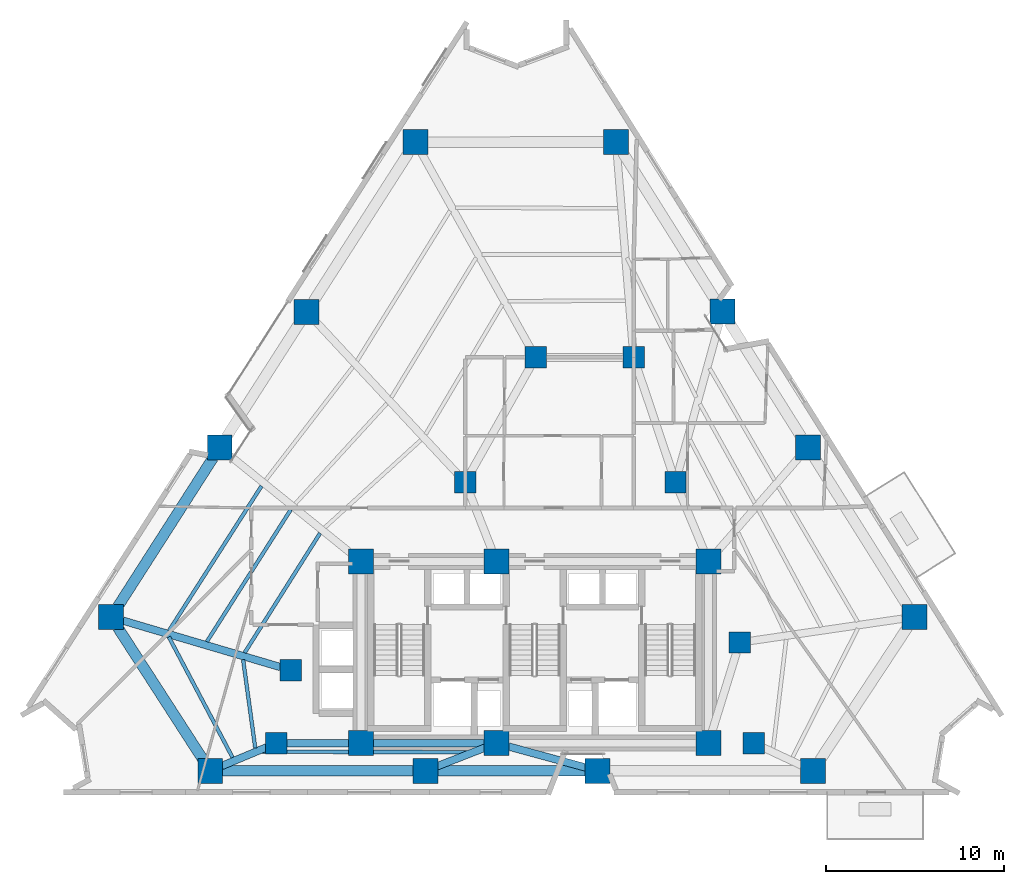
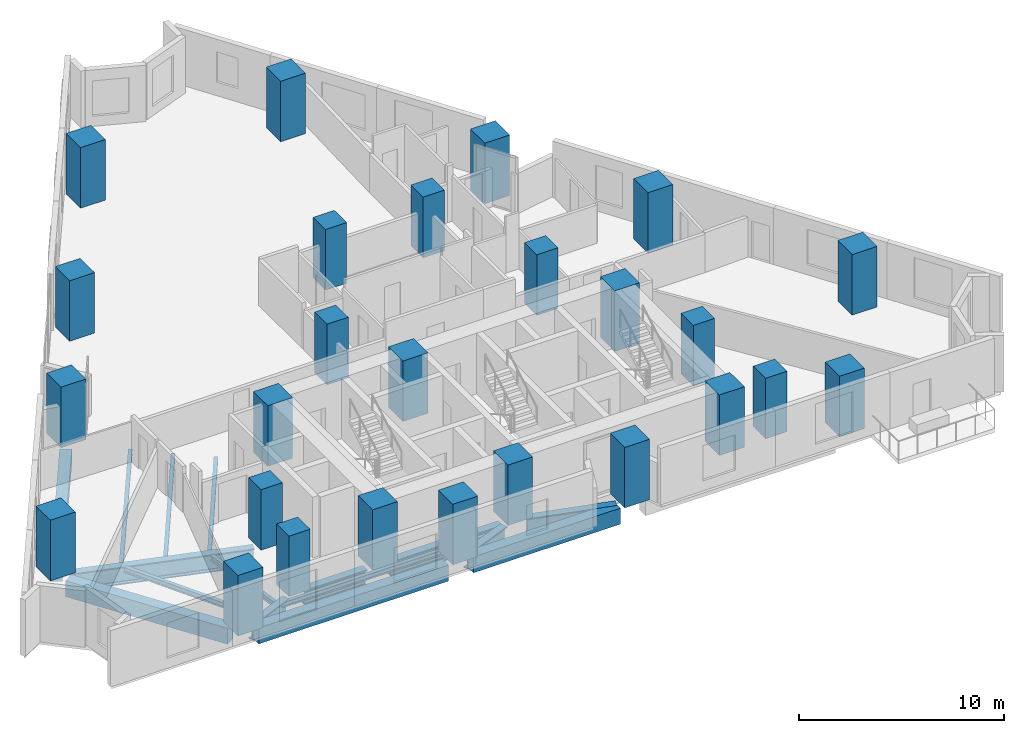
# One storey, part 1 of 13: 26 columns, 16 beams.
"""IFC4 building model written with IfcOpenShell, lengths in metres."""

from ifc_helpers import new_model, si_unit, direction, frame, origin, origin_2d, place, context, subcontext, project, spatial, rectangle, i_section, extrude, material, material_profile, profile_set, type_object, element, save


model = new_model("IFC4")

# Units and contexts
model_context = context("Model", 3, precision=1e-05, world=origin(), true_north=direction((0.0, 1.0)))
body_context = subcontext(model_context, "Body", "Model", "MODEL_VIEW")
ifc_project = project(units=[si_unit("LENGTHUNIT", "METRE"), si_unit("AREAUNIT", "SQUARE_METRE"), si_unit("VOLUMEUNIT", "CUBIC_METRE"), si_unit("PLANEANGLEUNIT", "RADIAN"), si_unit("MASSUNIT", "GRAM", prefix="KILO")], contexts=[model_context])

# Site, building, storey
site_placement = place(None, origin())
site = spatial("IfcSite", under=ifc_project, at=site_placement, CompositionType="ELEMENT")
building_placement = place(site_placement, origin())
building = spatial("IfcBuilding", under=site, at=building_placement, Name="Almagre Mirador Tower", CompositionType="ELEMENT")
storey_placement = place(building_placement, frame((0.0, 0.0, 57.0)))
storey = spatial("IfcBuildingStorey", under=building, at=storey_placement, Name="L13", CompositionType="ELEMENT", Elevation=57.0)

# Columns
ifc_material_1 = material(Name="Concrete C60/75", Category="concrete")
ifc_material_profile_1 = material_profile(ifc_material_1, rectangle(XDim=1.199951171875, YDim=1.199951171875, at=origin_2d()), Name="RC1200X1200")
ifc_profile_set_1 = profile_set([ifc_material_profile_1], Name="Concrete C60/75")
column_type_1 = type_object("IfcColumnType", Name="COL-RC1200", PredefinedType="COLUMN", material=ifc_profile_set_1)
for number, where, z_axis, x_axis, name in (
    (1, (22.800048828125, 4.550048828125, 0.0), (0.0, 0.0, 1.0), (1.0, 0.0, 0.0), "L13 interior transfer column MC1"),
    (2, (49.60009765625, 4.550048828125, 0.0), (0.0, 0.0, 1.0), (1.0, 0.0, 0.0), "L13 interior transfer column MC2"),
    (3, (48.800048828125, 10.199951171875, 0.0), (0.0, 0.0, 1.0), (1.0, 0.0, 0.0), "L13 interior transfer column MC3"),
    (4, (45.199951171875, 19.199951171875, 0.0), (0.0, 0.0, 1.0), (1.0, 0.0, 0.0), "L13 interior transfer column MC5"),
    (5, (42.85009765625, 26.199951171875, 0.0), (0.0, 0.0, 1.0), (1.0, 0.0, 0.0), "L13 interior transfer column MC6"),
    (6, (37.35009765625, 26.199951171875, 0.0), (0.0, 0.0, 1.0), (1.0, 0.0, 0.0), "L13 interior transfer column MC7"),
    (7, (33.39990234375, 19.199951171875, 0.0), (0.0, 0.0, 1.0), (1.0, 0.0, 0.0), "L13 interior transfer column MC8"),
    (8, (23.60009765625, 8.64990234375, 0.0), (0.0, 0.0, 1.0), (1.0, 0.0, 0.0), "L13 interior transfer column MC10"),
):
    element("IfcColumn", number, at=place(storey_placement, frame(where, z_axis=z_axis, x_axis=x_axis)), inside=storey, type_object=column_type_1, Name=name, PredefinedType="COLUMN", context=body_context, shape_type="SweptSolid", body=[
        extrude(rectangle(XDim=1.199951171875, YDim=1.199951171875, at=origin_2d()), origin(), (0.0, 0.0, 1.0), 3.60009765625),
    ])
ifc_material_2 = material(Name="Concrete C60/75", Category="concrete")
ifc_material_profile_2 = material_profile(ifc_material_2, rectangle(XDim=1.39990234375, YDim=1.39990234375, at=origin_2d()), Name="RC1400X1400")
ifc_profile_set_2 = profile_set([ifc_material_profile_2], Name="Concrete C60/75")
column_type_2 = type_object("IfcColumnType", Name="COL-RC1400", PredefinedType="COLUMN", material=ifc_profile_set_2)
for number, where, z_axis, x_axis, name in (
    (9, (27.550048828125, 4.550048828125, 0.0), (0.0, 0.0, 1.0), (1.0, 0.0, 0.0), "L13 core spine column CC1"),
    (10, (35.14990234375, 4.550048828125, 0.0), (0.0, 0.0, 1.0), (1.0, 0.0, 0.0), "L13 core spine column CC2"),
    (11, (47.050048828125, 4.550048828125, 0.0), (0.0, 0.0, 1.0), (1.0, 0.0, 0.0), "L13 core spine column CC3"),
    (12, (27.550048828125, 14.75, 0.0), (0.0, 0.0, 1.0), (1.0, 0.0, 0.0), "L13 core spine column CC4"),
    (13, (35.14990234375, 14.75, 0.0), (0.0, 0.0, 1.0), (1.0, 0.0, 0.0), "L13 core spine column CC5"),
    (14, (47.050048828125, 14.75, 0.0), (0.0, 0.0, 1.0), (1.0, 0.0, 0.0), "L13 core spine column CC6"),
    (15, (19.087890625, 3.0, 0.0), (0.0, 0.0, 1.0), (1.0, 0.0, 0.0), "L13 perimeter column PC01"),
    (16, (31.16796875, 3.0, 0.0), (0.0, 0.0, 1.0), (1.0, 0.0, 0.0), "L13 perimeter column PC02"),
    (17, (40.83203125, 3.0, 0.0), (0.0, 0.0, 1.0), (1.0, 0.0, 0.0), "L13 perimeter column PC03"),
    (18, (52.912109375, 3.0, 0.0), (0.0, 0.0, 1.0), (1.0, 0.0, 0.0), "L13 perimeter column PC04"),
    (19, (58.60595703125, 11.634033203125, 0.0), (0.0, 0.0, 1.0), (1.0, 0.0, 0.0), "L13 perimeter column PC05"),
    (20, (52.6259765625, 21.154052734375, 0.0), (0.0, 0.0, 1.0), (1.0, 0.0, 0.0), "L13 perimeter column PC06"),
    (21, (47.842041015625, 28.77001953125, 0.0), (0.0, 0.0, 1.0), (1.0, 0.0, 0.0), "L13 perimeter column PC07"),
    (22, (41.862060546875, 38.2900390625, 0.0), (0.0, 0.0, 1.0), (1.0, 0.0, 0.0), "L13 perimeter column PC08"),
    (23, (30.60009765625, 38.281005859375, 0.0), (0.0, 0.0, 1.0), (1.0, 0.0, 0.0), "L13 perimeter column PC09"),
    (24, (24.5, 28.760986328125, 0.0), (0.0, 0.0, 1.0), (1.0, 0.0, 0.0), "L13 perimeter column PC10"),
    (25, (19.6201171875, 21.14501953125, 0.0), (0.0, 0.0, 1.0), (1.0, 0.0, 0.0), "L13 perimeter column PC11"),
    (26, (13.52001953125, 11.625, 0.0), (0.0, 0.0, 1.0), (1.0, 0.0, 0.0), "L13 perimeter column PC12"),
):
    element("IfcColumn", number, at=place(storey_placement, frame(where, z_axis=z_axis, x_axis=x_axis)), inside=storey, type_object=column_type_2, Name=name, PredefinedType="COLUMN", context=body_context, shape_type="SweptSolid", body=[
        extrude(rectangle(XDim=1.39990234375, YDim=1.39990234375, at=origin_2d()), origin(), (0.0, 0.0, 1.0), 3.60009765625),
    ])

# Beams
ifc_material_3 = material(Name="Steel ASTM A992 Grade 50", Category="steel")
ifc_material_profile_3 = material_profile(ifc_material_3, i_section(OverallWidth=0.205078125, OverallDepth=0.31005859375, WebThickness=0.009521484375, FlangeThickness=0.016357421875, FilletRadius=0.013916015625, at=origin_2d()), Name="W12X50")
ifc_profile_set_3 = profile_set([ifc_material_profile_3], Name="Steel ASTM A992 Grade 50")
beam_type_1 = type_object("IfcBeamType", Name="BM-JST-W12X50", PredefinedType="JOIST", material=ifc_profile_set_3)
beam_1_placement = place(storey_placement, frame((21.852783203125, 4.066650390625, -0.405029296875), z_axis=(0.999998523692, -0.001718317236, 0.0), x_axis=(0.001718317236, 0.999998523692, 0.0)))
element("IfcBeam", 27, at=beam_1_placement, inside=storey, type_object=beam_type_1, Name="L13 secondary floor joist PC01-PC02.3", PredefinedType="JOIST", context=body_context, shape_type="SweptSolid", body=[
    extrude(i_section(OverallWidth=0.205078125, OverallDepth=0.31005859375, WebThickness=0.009521484375, FlangeThickness=0.016357421875, FilletRadius=0.013916015625, at=origin_2d()), origin(), (0.0, 0.0, 1.0), 11.792724609375),
])
beam_2_placement = place(storey_placement, frame((21.96728515625, 18.984619140625, -0.405029296875), z_axis=(-0.538939298543, -0.842344604355, 0.0), x_axis=(0.842344604355, -0.538939298543, 0.0)))
element("IfcBeam", 28, at=beam_2_placement, inside=storey, type_object=beam_type_1, Name="L13 secondary floor joist PC11-PC12.1", PredefinedType="JOIST", context=body_context, shape_type="SweptSolid", body=[
    extrude(i_section(OverallWidth=0.205078125, OverallDepth=0.31005859375, WebThickness=0.009521484375, FlangeThickness=0.016357421875, FilletRadius=0.013916015625, at=origin_2d()), origin(), (0.0, 0.0, 1.0), 9.62939453125),
])
beam_3_placement = place(storey_placement, frame((23.609375, 17.660400390625, -0.405029296875), z_axis=(-0.536506743166, -0.843896033015, 0.0), x_axis=(0.843896033015, -0.536506743166, 0.0)))
element("IfcBeam", 29, at=beam_3_placement, inside=storey, type_object=beam_type_1, Name="L13 secondary floor joist PC11-PC12.2", PredefinedType="JOIST", context=body_context, shape_type="SweptSolid", body=[
    extrude(i_section(OverallWidth=0.205078125, OverallDepth=0.31005859375, WebThickness=0.009521484375, FlangeThickness=0.016357421875, FilletRadius=0.013916015625, at=origin_2d()), origin(), (0.0, 0.0, 1.0), 8.783447265625),
])
beam_4_placement = place(storey_placement, frame((25.251708984375, 16.336181640625, -0.405029296875), z_axis=(-0.533571707058, -0.845754830567, 0.0), x_axis=(0.845754830567, -0.533571707058, 0.0)))
element("IfcBeam", 30, at=beam_4_placement, inside=storey, type_object=beam_type_1, Name="L13 secondary floor joist PC11-PC12.3", PredefinedType="JOIST", context=body_context, shape_type="SweptSolid", body=[
    extrude(i_section(OverallWidth=0.205078125, OverallDepth=0.31005859375, WebThickness=0.009521484375, FlangeThickness=0.016357421875, FilletRadius=0.013916015625, at=origin_2d()), origin(), (0.0, 0.0, 1.0), 7.937744140625),
])
beam_5_placement = place(storey_placement, frame((16.7626953125, 10.51171875, -0.405029296875), z_axis=(0.467494738831, -0.88399585359, 0.0), x_axis=(0.88399585359, 0.467494738831, 0.0)))
element("IfcBeam", 31, at=beam_5_placement, inside=storey, type_object=beam_type_1, Name="L13 secondary floor joist PC12-PC01.1", PredefinedType="JOIST", context=body_context, shape_type="SweptSolid", body=[
    extrude(i_section(OverallWidth=0.205078125, OverallDepth=0.31005859375, WebThickness=0.009521484375, FlangeThickness=0.016357421875, FilletRadius=0.013916015625, at=origin_2d()), origin(), (0.0, 0.0, 1.0), 7.650634765625),
])
beam_6_placement = place(storey_placement, frame((20.93310546875, 9.238037109375, -0.405029296875), z_axis=(0.136056923339, -0.990701021303, 0.0), x_axis=(0.990701021303, 0.136056923339, 0.0)))
element("IfcBeam", 32, at=beam_6_placement, inside=storey, type_object=beam_type_1, Name="L13 secondary floor joist PC12-PC01.3", PredefinedType="JOIST", context=body_context, shape_type="SweptSolid", body=[
    extrude(i_section(OverallWidth=0.205078125, OverallDepth=0.31005859375, WebThickness=0.009521484375, FlangeThickness=0.016357421875, FilletRadius=0.013916015625, at=origin_2d()), origin(), (0.0, 0.0, 1.0), 5.010009765625),
])
ifc_material_4 = material(Name="Precast concrete C50/60", Category="concrete")
ifc_material_profile_4 = material_profile(ifc_material_4, rectangle(XDim=0.60009765625, YDim=0.949951171875, at=origin_2d()), Name="RC600X950")
ifc_profile_set_4 = profile_set([ifc_material_profile_4], Name="Precast concrete C50/60")
beam_type_2 = type_object("IfcBeamType", Name="BM-SPN-RC600X950", PredefinedType="SPANDREL", material=ifc_profile_set_4)
beam_7_placement = place(storey_placement, frame((19.7880859375, 3.0, -0.72509765625), z_axis=(1.0, 0.0, 0.0), x_axis=(0.0, 1.0, 0.0)))
element("IfcBeam", 33, at=beam_7_placement, inside=storey, type_object=beam_type_2, Name="L13 perimeter spandrel beam PC01-PC02", PredefinedType="SPANDREL", context=body_context, shape_type="SweptSolid", body=[
    extrude(rectangle(XDim=0.60009765625, YDim=0.949951171875, at=origin_2d()), origin(), (0.0, 0.0, 1.0), 10.679931640625),
])
beam_8_placement = place(storey_placement, frame((31.867919921875, 3.0, -0.72509765625), z_axis=(1.0, 0.0, 0.0), x_axis=(0.0, 1.0, 0.0)))
element("IfcBeam", 34, at=beam_8_placement, inside=storey, type_object=beam_type_2, Name="L13 perimeter spandrel beam PC02-PC03", PredefinedType="SPANDREL", context=body_context, shape_type="SweptSolid", body=[
    extrude(rectangle(XDim=0.60009765625, YDim=0.949951171875, at=origin_2d()), origin(), (0.0, 0.0, 1.0), 8.26416015625),
])
beam_9_placement = place(storey_placement, frame((19.2421875, 20.5556640625, -0.72509765625), z_axis=(-0.539486507438, -0.84199424481, 0.0), x_axis=(0.84199424481, -0.539486507438, 0.0)))
element("IfcBeam", 35, at=beam_9_placement, inside=storey, type_object=beam_type_2, Name="L13 perimeter spandrel beam PC11-PC12", PredefinedType="SPANDREL", context=body_context, shape_type="SweptSolid", body=[
    extrude(rectangle(XDim=0.60009765625, YDim=0.949951171875, at=origin_2d()), origin(), (0.0, 0.0, 1.0), 9.906494140625),
])
beam_10_placement = place(storey_placement, frame((13.899658203125, 11.036865234375, -0.72509765625), z_axis=(0.542362680712, -0.840144465298, 0.0), x_axis=(0.840144465298, 0.542362680712, 0.0)))
element("IfcBeam", 36, at=beam_10_placement, inside=storey, type_object=beam_type_2, Name="L13 perimeter spandrel beam PC12-PC01", PredefinedType="SPANDREL", context=body_context, shape_type="SweptSolid", body=[
    extrude(rectangle(XDim=0.60009765625, YDim=0.949951171875, at=origin_2d()), origin(), (0.0, 0.0, 1.0), 8.865966796875),
])
ifc_material_5 = material(Name="Steel ASTM A992 Grade 50", Category="steel")
ifc_material_profile_5 = material_profile(ifc_material_5, i_section(OverallWidth=0.43701171875, OverallDepth=1.010986328125, WebThickness=0.041015625, FlangeThickness=0.073974609375, FilletRadius=0.028076171875, at=origin_2d()), Name="W36X529")
ifc_profile_set_5 = profile_set([ifc_material_profile_5], Name="Steel ASTM A992 Grade 50")
beam_type_3 = type_object("IfcBeamType", Name="BM-STL-W36X529", PredefinedType="BEAM", material=ifc_profile_set_5)
beam_11_placement = place(storey_placement, frame((28.25, 4.550048828125, -0.755615234375), z_axis=(1.0, 0.0, 0.0), x_axis=(0.0, 1.0, 0.0)))
element("IfcBeam", 37, at=beam_11_placement, inside=storey, type_object=beam_type_3, Name="L13 core tie girder CC1-CC2", PredefinedType="BEAM", context=body_context, shape_type="SweptSolid", body=[
    extrude(i_section(OverallWidth=0.43701171875, OverallDepth=1.010986328125, WebThickness=0.041015625, FlangeThickness=0.073974609375, FilletRadius=0.028076171875, at=origin_2d()), origin(), (0.0, 0.0, 1.0), 6.199951171875),
])
beam_12_placement = place(storey_placement, frame((23.39990234375, 4.550048828125, -0.755615234375), z_axis=(1.0, 0.0, 0.0), x_axis=(0.0, 1.0, 0.0)))
element("IfcBeam", 38, at=beam_12_placement, inside=storey, type_object=beam_type_3, Name="L13 core tie girder MC1-CC1", PredefinedType="BEAM", context=body_context, shape_type="SweptSolid", body=[
    extrude(i_section(OverallWidth=0.43701171875, OverallDepth=1.010986328125, WebThickness=0.041015625, FlangeThickness=0.073974609375, FilletRadius=0.028076171875, at=origin_2d()), origin(), (0.0, 0.0, 1.0), 3.4501953125),
])
ifc_material_6 = material(Name="Steel ASTM A913 Grade 65", Category="steel")
ifc_material_profile_6 = material_profile(ifc_material_6, i_section(OverallWidth=0.4189453125, OverallDepth=1.041015625, WebThickness=0.031005859375, FlangeThickness=0.055908203125, FilletRadius=0.030029296875, at=origin_2d()), Name="W40X397")
ifc_profile_set_6 = profile_set([ifc_material_profile_6], Name="Steel ASTM A913 Grade 65")
beam_type_4 = type_object("IfcBeamType", Name="BM-STL-W40X397", PredefinedType="BEAM", material=ifc_profile_set_6)
beam_13_placement = place(storey_placement, frame((19.73388671875, 3.269775390625, -0.7705078125), z_axis=(0.922787491729, 0.385309285002, 0.0), x_axis=(-0.385309285002, 0.922787491729, 0.0)))
element("IfcBeam", 39, at=beam_13_placement, inside=storey, type_object=beam_type_4, Name="L13 radial floor girder PC01-MC1", PredefinedType="BEAM", context=body_context, shape_type="SweptSolid", body=[
    extrude(i_section(OverallWidth=0.4189453125, OverallDepth=1.041015625, WebThickness=0.031005859375, FlangeThickness=0.055908203125, FilletRadius=0.030029296875, at=origin_2d()), origin(), (0.0, 0.0, 1.0), 2.72265625),
])
beam_14_placement = place(storey_placement, frame((31.8203125, 3.25390625, -0.7705078125), z_axis=(0.931888214073, 0.362745580913, 0.0), x_axis=(-0.362745580913, 0.931888214073, 0.0)))
element("IfcBeam", 40, at=beam_14_placement, inside=storey, type_object=beam_type_4, Name="L13 radial floor girder PC02-CC2", PredefinedType="BEAM", context=body_context, shape_type="SweptSolid", body=[
    extrude(i_section(OverallWidth=0.4189453125, OverallDepth=1.041015625, WebThickness=0.031005859375, FlangeThickness=0.055908203125, FilletRadius=0.030029296875, at=origin_2d()), origin(), (0.0, 0.0, 1.0), 2.873291015625),
])
beam_15_placement = place(storey_placement, frame((40.15673828125, 3.18408203125, -0.7705078125), z_axis=(-0.964746251324, 0.263181820336, 0.0), x_axis=(-0.263181820336, -0.964746251324, 0.0)))
element("IfcBeam", 41, at=beam_15_placement, inside=storey, type_object=beam_type_4, Name="L13 radial floor girder PC03-CC2", PredefinedType="BEAM", context=body_context, shape_type="SweptSolid", body=[
    extrude(i_section(OverallWidth=0.4189453125, OverallDepth=1.041015625, WebThickness=0.031005859375, FlangeThickness=0.055908203125, FilletRadius=0.030029296875, at=origin_2d()), origin(), (0.0, 0.0, 1.0), 4.48974609375),
])
beam_16_placement = place(storey_placement, frame((14.19140625, 11.427001953125, -0.7705078125), z_axis=(0.95909363652, -0.28308902555, 0.0), x_axis=(0.28308902555, 0.95909363652, 0.0)))
element("IfcBeam", 42, at=beam_16_placement, inside=storey, type_object=beam_type_4, Name="L13 radial floor girder PC12-MC10", PredefinedType="BEAM", context=body_context, shape_type="SweptSolid", body=[
    extrude(i_section(OverallWidth=0.4189453125, OverallDepth=1.041015625, WebThickness=0.031005859375, FlangeThickness=0.055908203125, FilletRadius=0.030029296875, at=origin_2d()), origin(), (0.0, 0.0, 1.0), 9.209716796875),
])

save(model, "model.ifc")
